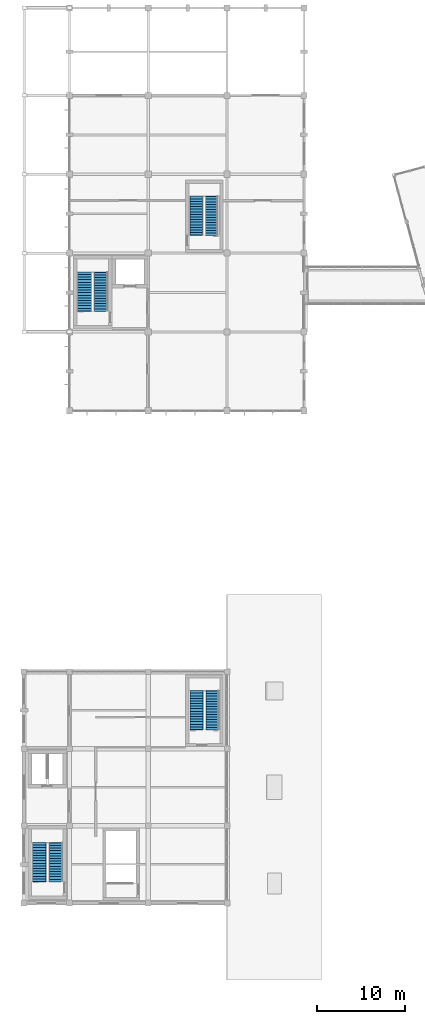
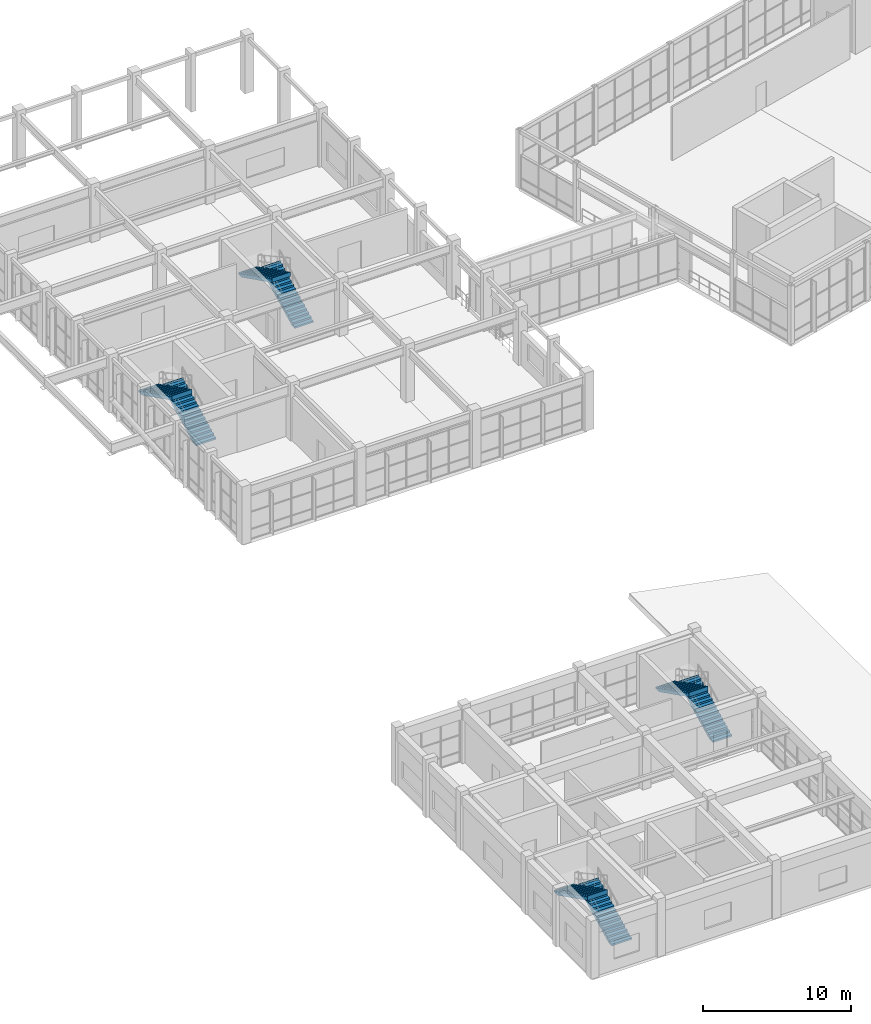
# One storey, part 86 of 99: 8 stair flights, 4 elements without a shape of their own.
"""IFC4 building model written with IfcOpenShell, lengths in metres."""

from ifc_helpers import new_model, si_unit, direction, frame, origin, place, context, subcontext, project, spatial, polyline, outline, extrude, material, type_object, element, aggregate, save


model = new_model("IFC4")

# Units and contexts
model_context = context("Model", 3, precision=1e-05, world=origin(), true_north=direction((0.0, 1.0)))
body_context = subcontext(model_context, "Body", "Model", "MODEL_VIEW")
ifc_project = project(units=[si_unit("LENGTHUNIT", "METRE"), si_unit("AREAUNIT", "SQUARE_METRE"), si_unit("VOLUMEUNIT", "CUBIC_METRE"), si_unit("PLANEANGLEUNIT", "RADIAN"), si_unit("MASSUNIT", "GRAM", prefix="KILO")], contexts=[model_context])

# Site, building, storey
site_placement = place(None, origin())
site = spatial("IfcSite", under=ifc_project, at=site_placement, CompositionType="ELEMENT")
building_placement = place(site_placement, origin())
building = spatial("IfcBuilding", under=site, at=building_placement, Name="Ventoquebrada Cableway Terminal", CompositionType="ELEMENT")
storey_placement = place(building_placement, frame((0.0, 0.0, 9.60009765625)))
storey = spatial("IfcBuildingStorey", under=building, at=storey_placement, Name="L02", CompositionType="ELEMENT", Elevation=9.60009765625)

# Stair, stair flights
ifc_material = material(Name="Concrete C40/50", Category="concrete")
stair_type_1 = type_object("IfcStairType", Name="ST-T03", PredefinedType="HALF_TURN_STAIR", material=ifc_material)
stair_1_placement = place(storey_placement, origin())
stair_1 = element("IfcStair", 1, at=stair_1_placement, inside=storey, type_object=stair_type_1, Name="Protected half-turn stair ST-07", PredefinedType="HALF_TURN_STAIR")
stair_flight_type_1 = type_object("IfcStairFlightType", Name="SF-T03", PredefinedType="STRAIGHT", material=ifc_material)
stair_flight_1_placement = place(storey_placement, frame((6.675048828125, 14.199951171875, 0.0), z_axis=(0.0, 0.0, 1.0), x_axis=(0.0, 1.0, 0.0)))
stair_flight_1 = element("IfcStairFlight", 2, at=stair_flight_1_placement, type_object=stair_flight_type_1, Name="Lower stair flight SF-013", NumberOfRisers=16, NumberOfTreads=15, PredefinedType="STRAIGHT", RiserHeight=0.15, TreadLength=0.3, context=body_context, shape_type="SweptSolid", body=[
    extrude(outline(polyline([(0.0, 0.0), (0.0, 0.14990234375), (0.296630859375, 0.14990234375), (0.296630859375, 0.300048828125), (0.59326171875, 0.300048828125), (0.59326171875, 0.449951171875), (0.889892578125, 0.449951171875), (0.889892578125, 0.60009765625), (1.186767578125, 0.60009765625), (1.186767578125, 0.75), (1.4833984375, 0.75), (1.4833984375, 0.89990234375), (1.780029296875, 0.89990234375), (1.780029296875, 1.050048828125), (2.07666015625, 1.050048828125), (2.07666015625, 1.199951171875), (2.373291015625, 1.199951171875), (2.373291015625, 1.35009765625), (2.669921875, 1.35009765625), (2.669921875, 1.5), (2.966552734375, 1.5), (2.966552734375, 1.64990234375), (3.263427734375, 1.64990234375), (3.263427734375, 1.800048828125), (3.56005859375, 1.800048828125), (3.56005859375, 1.949951171875), (3.856689453125, 1.949951171875), (3.856689453125, 2.10009765625), (4.1533203125, 2.10009765625), (4.1533203125, 2.25), (4.449951171875, 2.25), (4.449951171875, 2.39990234375), (4.5, 2.39990234375), (4.5, 2.0263671875), (0.447021484375, 0.0), (0.0, 0.0)])), frame((0.0, 0.77490234375, 0.0), z_axis=(0.0, -1.0, 0.0), x_axis=(1.0, 0.0, 0.0)), (0.0, 0.0, 1.0), 1.550048828125),
])
stair_flight_2_placement = place(storey_placement, frame((4.764892578125, 18.699951171875, 2.39990234375), z_axis=(0.0, 0.0, 1.0), x_axis=(0.0, -1.0, 0.0)))
stair_flight_2 = element("IfcStairFlight", 3, at=stair_flight_2_placement, type_object=stair_flight_type_1, Name="Upper stair flight SF-014", NumberOfRisers=16, NumberOfTreads=15, PredefinedType="STRAIGHT", RiserHeight=0.15, TreadLength=0.3, context=body_context, shape_type="SweptSolid", body=[
    extrude(outline(polyline([(0.0, 0.0), (0.0, 0.14990234375), (0.296630859375, 0.14990234375), (0.296630859375, 0.300048828125), (0.59326171875, 0.300048828125), (0.59326171875, 0.449951171875), (0.889892578125, 0.449951171875), (0.889892578125, 0.60009765625), (1.186767578125, 0.60009765625), (1.186767578125, 0.75), (1.4833984375, 0.75), (1.4833984375, 0.89990234375), (1.780029296875, 0.89990234375), (1.780029296875, 1.050048828125), (2.07666015625, 1.050048828125), (2.07666015625, 1.199951171875), (2.373291015625, 1.199951171875), (2.373291015625, 1.35009765625), (2.669921875, 1.35009765625), (2.669921875, 1.5), (2.966552734375, 1.5), (2.966552734375, 1.64990234375), (3.263427734375, 1.64990234375), (3.263427734375, 1.800048828125), (3.56005859375, 1.800048828125), (3.56005859375, 1.949951171875), (3.856689453125, 1.949951171875), (3.856689453125, 2.10009765625), (4.1533203125, 2.10009765625), (4.1533203125, 2.25), (4.449951171875, 2.25), (4.449951171875, 2.39990234375), (4.5, 2.39990234375), (4.5, 2.0263671875), (0.447021484375, 0.0), (0.0, 0.0)])), frame((0.0, 0.77490234375, 0.0), z_axis=(0.0, -1.0, 0.0), x_axis=(1.0, 0.0, 0.0)), (0.0, 0.0, 1.0), 1.550048828125),
])
aggregate(stair_1, [stair_flight_1, stair_flight_2])

stair_2_placement = place(storey_placement, origin())
stair_2 = element("IfcStair", 4, at=stair_2_placement, inside=storey, type_object=stair_type_1, Name="Protected half-turn stair ST-15", PredefinedType="HALF_TURN_STAIR")
stair_flight_3_placement = place(storey_placement, frame((11.824951171875, 79.35009765625, 0.0), z_axis=(0.0, 0.0, 1.0), x_axis=(0.0, 1.0, 0.0)))
stair_flight_3 = element("IfcStairFlight", 5, at=stair_flight_3_placement, type_object=stair_flight_type_1, Name="Lower stair flight SF-029", NumberOfRisers=16, NumberOfTreads=15, PredefinedType="STRAIGHT", RiserHeight=0.15, TreadLength=0.3, context=body_context, shape_type="SweptSolid", body=[
    extrude(outline(polyline([(0.0, 0.0), (0.0, 0.14990234375), (0.296630859375, 0.14990234375), (0.296630859375, 0.300048828125), (0.59326171875, 0.300048828125), (0.59326171875, 0.449951171875), (0.889892578125, 0.449951171875), (0.889892578125, 0.60009765625), (1.186767578125, 0.60009765625), (1.186767578125, 0.75), (1.4833984375, 0.75), (1.4833984375, 0.89990234375), (1.780029296875, 0.89990234375), (1.780029296875, 1.050048828125), (2.07666015625, 1.050048828125), (2.07666015625, 1.199951171875), (2.373291015625, 1.199951171875), (2.373291015625, 1.35009765625), (2.669921875, 1.35009765625), (2.669921875, 1.5), (2.966552734375, 1.5), (2.966552734375, 1.64990234375), (3.263427734375, 1.64990234375), (3.263427734375, 1.800048828125), (3.56005859375, 1.800048828125), (3.56005859375, 1.949951171875), (3.856689453125, 1.949951171875), (3.856689453125, 2.10009765625), (4.1533203125, 2.10009765625), (4.1533203125, 2.25), (4.449951171875, 2.25), (4.449951171875, 2.39990234375), (4.5, 2.39990234375), (4.5, 2.0263671875), (0.447021484375, 0.0), (0.0, 0.0)])), frame((0.0, 0.77490234375, 0.0), z_axis=(0.0, -1.0, 0.0), x_axis=(1.0, 0.0, 0.0)), (0.0, 0.0, 1.0), 1.550048828125),
])
stair_flight_4_placement = place(storey_placement, frame((9.9150390625, 83.85009765625, 2.39990234375), z_axis=(0.0, 0.0, 1.0), x_axis=(0.0, -1.0, 0.0)))
stair_flight_4 = element("IfcStairFlight", 6, at=stair_flight_4_placement, type_object=stair_flight_type_1, Name="Upper stair flight SF-030", NumberOfRisers=16, NumberOfTreads=15, PredefinedType="STRAIGHT", RiserHeight=0.15, TreadLength=0.3, context=body_context, shape_type="SweptSolid", body=[
    extrude(outline(polyline([(0.0, 0.0), (0.0, 0.14990234375), (0.296630859375, 0.14990234375), (0.296630859375, 0.300048828125), (0.59326171875, 0.300048828125), (0.59326171875, 0.449951171875), (0.889892578125, 0.449951171875), (0.889892578125, 0.60009765625), (1.186767578125, 0.60009765625), (1.186767578125, 0.75), (1.4833984375, 0.75), (1.4833984375, 0.89990234375), (1.780029296875, 0.89990234375), (1.780029296875, 1.050048828125), (2.07666015625, 1.050048828125), (2.07666015625, 1.199951171875), (2.373291015625, 1.199951171875), (2.373291015625, 1.35009765625), (2.669921875, 1.35009765625), (2.669921875, 1.5), (2.966552734375, 1.5), (2.966552734375, 1.64990234375), (3.263427734375, 1.64990234375), (3.263427734375, 1.800048828125), (3.56005859375, 1.800048828125), (3.56005859375, 1.949951171875), (3.856689453125, 1.949951171875), (3.856689453125, 2.10009765625), (4.1533203125, 2.10009765625), (4.1533203125, 2.25), (4.449951171875, 2.25), (4.449951171875, 2.39990234375), (4.5, 2.39990234375), (4.5, 2.0263671875), (0.447021484375, 0.0), (0.0, 0.0)])), frame((0.0, 0.77490234375, 0.0), z_axis=(0.0, -1.0, 0.0), x_axis=(1.0, 0.0, 0.0)), (0.0, 0.0, 1.0), 1.550048828125),
])
aggregate(stair_2, [stair_flight_3, stair_flight_4])

stair_type_2 = type_object("IfcStairType", Name="ST-T04", PredefinedType="HALF_TURN_STAIR", material=ifc_material)
stair_3_placement = place(storey_placement, origin())
stair_3 = element("IfcStair", 7, at=stair_3_placement, inside=storey, type_object=stair_type_2, Name="Protected half-turn stair ST-08", PredefinedType="HALF_TURN_STAIR")
stair_flight_type_2 = type_object("IfcStairFlightType", Name="SF-T04", PredefinedType="STRAIGHT", material=ifc_material)
stair_flight_5_placement = place(storey_placement, frame((24.550048828125, 31.550048828125, 0.0), z_axis=(0.0, 0.0, 1.0), x_axis=(0.0, 1.0, 0.0)))
stair_flight_5 = element("IfcStairFlight", 8, at=stair_flight_5_placement, type_object=stair_flight_type_2, Name="Lower stair flight SF-015", NumberOfRisers=16, NumberOfTreads=15, PredefinedType="STRAIGHT", RiserHeight=0.15, TreadLength=0.3, context=body_context, shape_type="SweptSolid", body=[
    extrude(outline(polyline([(0.0, 0.0), (0.0, 0.14990234375), (0.296630859375, 0.14990234375), (0.296630859375, 0.300048828125), (0.59326171875, 0.300048828125), (0.59326171875, 0.449951171875), (0.889892578125, 0.449951171875), (0.889892578125, 0.60009765625), (1.186767578125, 0.60009765625), (1.186767578125, 0.75), (1.4833984375, 0.75), (1.4833984375, 0.89990234375), (1.780029296875, 0.89990234375), (1.780029296875, 1.050048828125), (2.07666015625, 1.050048828125), (2.07666015625, 1.199951171875), (2.373291015625, 1.199951171875), (2.373291015625, 1.35009765625), (2.669921875, 1.35009765625), (2.669921875, 1.5), (2.966552734375, 1.5), (2.966552734375, 1.64990234375), (3.263427734375, 1.64990234375), (3.263427734375, 1.800048828125), (3.56005859375, 1.800048828125), (3.56005859375, 1.949951171875), (3.856689453125, 1.949951171875), (3.856689453125, 2.10009765625), (4.1533203125, 2.10009765625), (4.1533203125, 2.25), (4.449951171875, 2.25), (4.449951171875, 2.39990234375), (4.5, 2.39990234375), (4.5, 2.0263671875), (0.447021484375, 0.0), (0.0, 0.0)])), frame((0.0, 0.75, 0.0), z_axis=(0.0, -1.0, 0.0), x_axis=(1.0, 0.0, 0.0)), (0.0, 0.0, 1.0), 1.5),
])
stair_flight_6_placement = place(storey_placement, frame((22.68994140625, 36.050048828125, 2.39990234375), z_axis=(0.0, 0.0, 1.0), x_axis=(0.0, -1.0, 0.0)))
stair_flight_6 = element("IfcStairFlight", 9, at=stair_flight_6_placement, type_object=stair_flight_type_2, Name="Upper stair flight SF-016", NumberOfRisers=16, NumberOfTreads=15, PredefinedType="STRAIGHT", RiserHeight=0.15, TreadLength=0.3, context=body_context, shape_type="SweptSolid", body=[
    extrude(outline(polyline([(0.0, 0.0), (0.0, 0.14990234375), (0.296630859375, 0.14990234375), (0.296630859375, 0.300048828125), (0.59326171875, 0.300048828125), (0.59326171875, 0.449951171875), (0.889892578125, 0.449951171875), (0.889892578125, 0.60009765625), (1.186767578125, 0.60009765625), (1.186767578125, 0.75), (1.4833984375, 0.75), (1.4833984375, 0.89990234375), (1.780029296875, 0.89990234375), (1.780029296875, 1.050048828125), (2.07666015625, 1.050048828125), (2.07666015625, 1.199951171875), (2.373291015625, 1.199951171875), (2.373291015625, 1.35009765625), (2.669921875, 1.35009765625), (2.669921875, 1.5), (2.966552734375, 1.5), (2.966552734375, 1.64990234375), (3.263427734375, 1.64990234375), (3.263427734375, 1.800048828125), (3.56005859375, 1.800048828125), (3.56005859375, 1.949951171875), (3.856689453125, 1.949951171875), (3.856689453125, 2.10009765625), (4.1533203125, 2.10009765625), (4.1533203125, 2.25), (4.449951171875, 2.25), (4.449951171875, 2.39990234375), (4.5, 2.39990234375), (4.5, 2.0263671875), (0.447021484375, 0.0), (0.0, 0.0)])), frame((0.0, 0.75, 0.0), z_axis=(0.0, -1.0, 0.0), x_axis=(1.0, 0.0, 0.0)), (0.0, 0.0, 1.0), 1.5),
])
aggregate(stair_3, [stair_flight_5, stair_flight_6])

stair_type_3 = type_object("IfcStairType", Name="ST-T05", PredefinedType="HALF_TURN_STAIR", material=ifc_material)
stair_4_placement = place(storey_placement, origin())
stair_4 = element("IfcStair", 10, at=stair_4_placement, inside=storey, type_object=stair_type_3, Name="Protected half-turn stair ST-16", PredefinedType="HALF_TURN_STAIR")
stair_flight_type_3 = type_object("IfcStairFlightType", Name="SF-T05", PredefinedType="STRAIGHT", material=ifc_material)
stair_flight_7_placement = place(storey_placement, frame((24.47509765625, 88.0, 0.0), z_axis=(0.0, 0.0, 1.0), x_axis=(0.0, 1.0, 0.0)))
stair_flight_7 = element("IfcStairFlight", 11, at=stair_flight_7_placement, type_object=stair_flight_type_3, Name="Lower stair flight SF-031", NumberOfRisers=16, NumberOfTreads=15, PredefinedType="STRAIGHT", RiserHeight=0.15, TreadLength=0.3, context=body_context, shape_type="SweptSolid", body=[
    extrude(outline(polyline([(0.0, 0.0), (0.0, 0.14990234375), (0.296630859375, 0.14990234375), (0.296630859375, 0.300048828125), (0.59326171875, 0.300048828125), (0.59326171875, 0.449951171875), (0.889892578125, 0.449951171875), (0.889892578125, 0.60009765625), (1.186767578125, 0.60009765625), (1.186767578125, 0.75), (1.4833984375, 0.75), (1.4833984375, 0.89990234375), (1.780029296875, 0.89990234375), (1.780029296875, 1.050048828125), (2.07666015625, 1.050048828125), (2.07666015625, 1.199951171875), (2.373291015625, 1.199951171875), (2.373291015625, 1.35009765625), (2.669921875, 1.35009765625), (2.669921875, 1.5), (2.966552734375, 1.5), (2.966552734375, 1.64990234375), (3.263427734375, 1.64990234375), (3.263427734375, 1.800048828125), (3.56005859375, 1.800048828125), (3.56005859375, 1.949951171875), (3.856689453125, 1.949951171875), (3.856689453125, 2.10009765625), (4.1533203125, 2.10009765625), (4.1533203125, 2.25), (4.449951171875, 2.25), (4.449951171875, 2.39990234375), (4.5, 2.39990234375), (4.5, 2.0263671875), (0.447021484375, 0.0), (0.0, 0.0)])), frame((0.0, 0.72509765625, 0.0), z_axis=(0.0, -1.0, 0.0), x_axis=(1.0, 0.0, 0.0)), (0.0, 0.0, 1.0), 1.449951171875),
])
stair_flight_8_placement = place(storey_placement, frame((22.6650390625, 92.5, 2.39990234375), z_axis=(0.0, 0.0, 1.0), x_axis=(0.0, -1.0, 0.0)))
stair_flight_8 = element("IfcStairFlight", 12, at=stair_flight_8_placement, type_object=stair_flight_type_3, Name="Upper stair flight SF-032", NumberOfRisers=16, NumberOfTreads=15, PredefinedType="STRAIGHT", RiserHeight=0.15, TreadLength=0.3, context=body_context, shape_type="SweptSolid", body=[
    extrude(outline(polyline([(0.0, 0.0), (0.0, 0.14990234375), (0.296630859375, 0.14990234375), (0.296630859375, 0.300048828125), (0.59326171875, 0.300048828125), (0.59326171875, 0.449951171875), (0.889892578125, 0.449951171875), (0.889892578125, 0.60009765625), (1.186767578125, 0.60009765625), (1.186767578125, 0.75), (1.4833984375, 0.75), (1.4833984375, 0.89990234375), (1.780029296875, 0.89990234375), (1.780029296875, 1.050048828125), (2.07666015625, 1.050048828125), (2.07666015625, 1.199951171875), (2.373291015625, 1.199951171875), (2.373291015625, 1.35009765625), (2.669921875, 1.35009765625), (2.669921875, 1.5), (2.966552734375, 1.5), (2.966552734375, 1.64990234375), (3.263427734375, 1.64990234375), (3.263427734375, 1.800048828125), (3.56005859375, 1.800048828125), (3.56005859375, 1.949951171875), (3.856689453125, 1.949951171875), (3.856689453125, 2.10009765625), (4.1533203125, 2.10009765625), (4.1533203125, 2.25), (4.449951171875, 2.25), (4.449951171875, 2.39990234375), (4.5, 2.39990234375), (4.5, 2.0263671875), (0.447021484375, 0.0), (0.0, 0.0)])), frame((0.0, 0.72509765625, 0.0), z_axis=(0.0, -1.0, 0.0), x_axis=(1.0, 0.0, 0.0)), (0.0, 0.0, 1.0), 1.449951171875),
])
aggregate(stair_4, [stair_flight_7, stair_flight_8])

save(model, "model.ifc")
